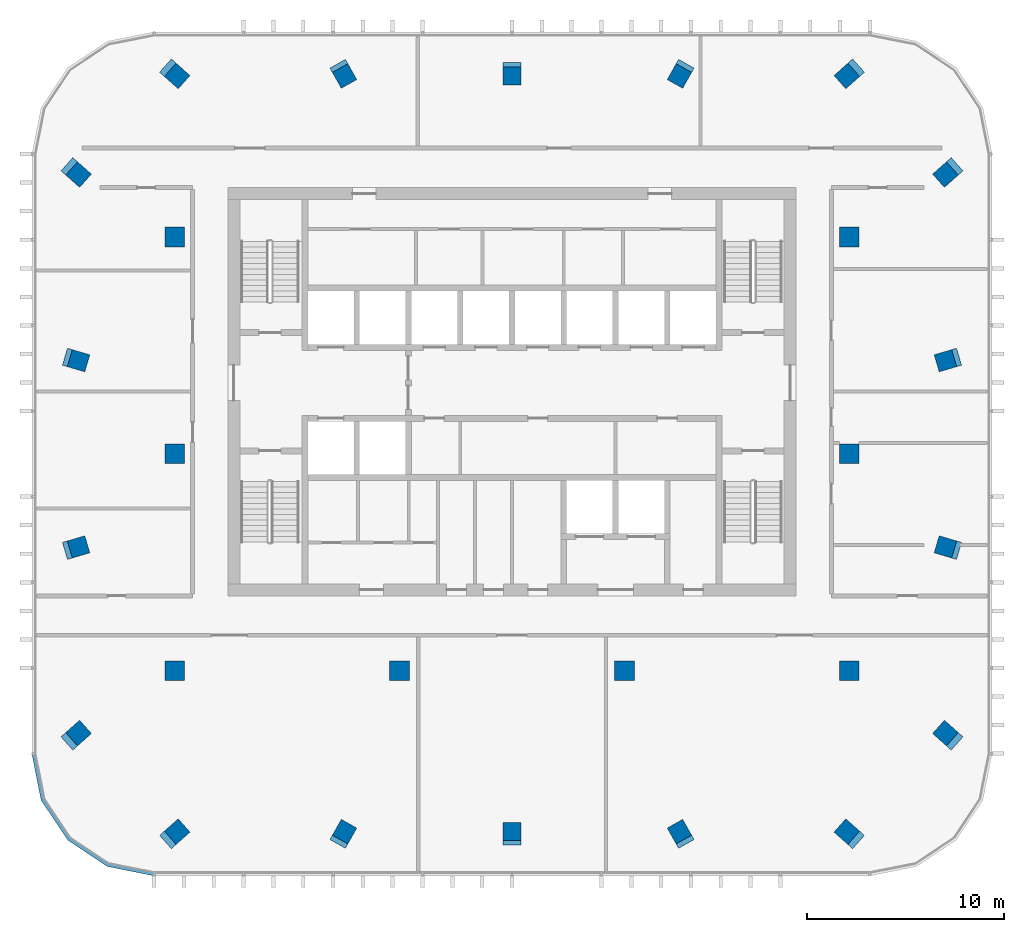
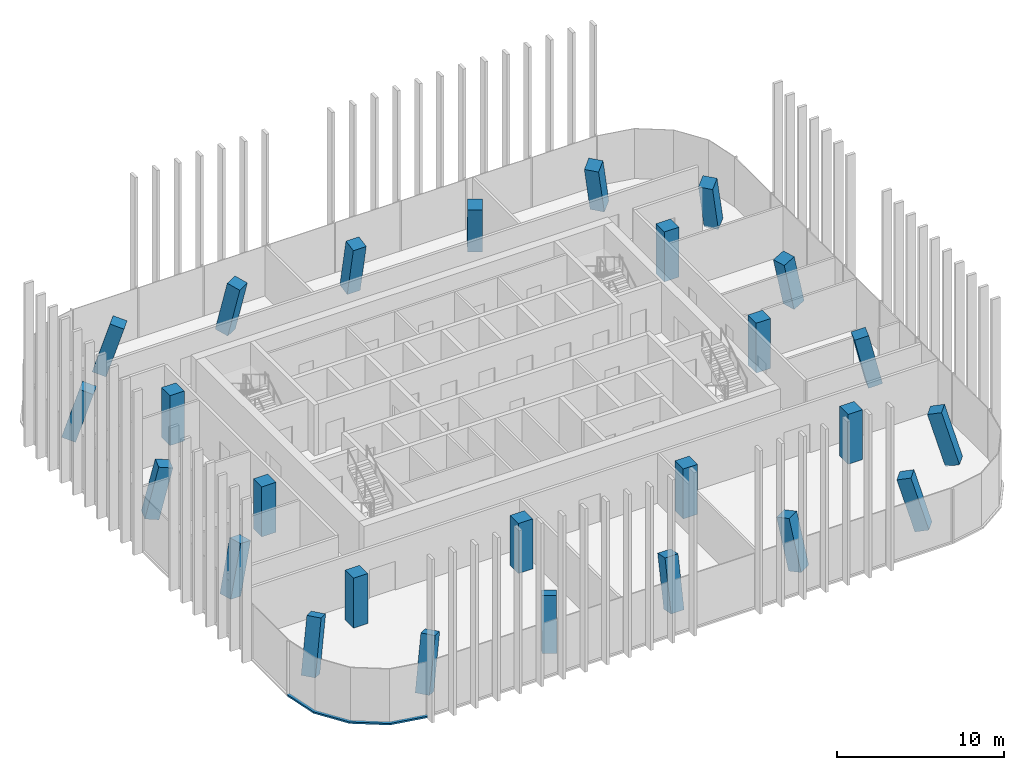
# One storey, part 1 of 13: 26 columns, 1 member, 1 element without a shape of its own.
"""IFC4 building model written with IfcOpenShell, lengths in metres."""

from ifc_helpers import new_model, si_unit, direction, frame, origin, origin_2d, place, context, subcontext, project, spatial, polyline, rectangle, outline, extrude, material, material_profile, profile_set, type_object, element, aggregate, save


model = new_model("IFC4")

# Units and contexts
model_context = context("Model", 3, precision=1e-05, world=origin(), true_north=direction((0.0, 1.0)))
body_context = subcontext(model_context, "Body", "Model", "MODEL_VIEW")
ifc_project = project(units=[si_unit("LENGTHUNIT", "METRE"), si_unit("AREAUNIT", "SQUARE_METRE"), si_unit("VOLUMEUNIT", "CUBIC_METRE"), si_unit("PLANEANGLEUNIT", "RADIAN"), si_unit("MASSUNIT", "GRAM", prefix="KILO")], contexts=[model_context])

# Site, building, storey
site_placement = place(None, origin())
site = spatial("IfcSite", under=ifc_project, at=site_placement, CompositionType="ELEMENT")
building_placement = place(site_placement, origin())
building = spatial("IfcBuilding", under=site, at=building_placement, Name="Mopane Tessera Tower", CompositionType="ELEMENT")
storey_placement = place(building_placement, frame((0.0, 0.0, 345.39990234375)))
storey = spatial("IfcBuildingStorey", under=building, at=storey_placement, Name="L75", CompositionType="ELEMENT", Elevation=345.39990234375)

# Columns
ifc_material_1 = material(Name="Concrete C40/50", Category="concrete")
ifc_material_profile_1 = material_profile(ifc_material_1, rectangle(XDim=1.0, YDim=1.0, at=origin_2d()))
ifc_profile_set_1 = profile_set([ifc_material_profile_1], Name="Concrete C40/50")
column_type_1 = type_object("IfcColumnType", Name="Interior column 1000 x 1000 C40/50", PredefinedType="COLUMN", material=ifc_profile_set_1)
for number, where, z_axis, x_axis, name in (
    (1, (-17.10009765625, -11.0, 0.0), (0.0, 0.0, 1.0), (1.0, 0.0, 0.0), "Interior column I1A L75"),
    (2, (-17.10009765625, 0.0, 0.0), (0.0, 0.0, 1.0), (1.0, 0.0, 0.0), "Interior column I1B L75"),
    (3, (-17.10009765625, 11.0, 0.0), (0.0, 0.0, 1.0), (1.0, 0.0, 0.0), "Interior column I1C L75"),
    (4, (-5.699951171875, -11.0, 0.0), (0.0, 0.0, 1.0), (1.0, 0.0, 0.0), "Interior column I2A L75"),
    (5, (5.699951171875, -11.0, 0.0), (0.0, 0.0, 1.0), (1.0, 0.0, 0.0), "Interior column I3A L75"),
    (6, (17.10009765625, -11.0, 0.0), (0.0, 0.0, 1.0), (1.0, 0.0, 0.0), "Interior column I4A L75"),
    (7, (17.10009765625, 0.0, 0.0), (0.0, 0.0, 1.0), (1.0, 0.0, 0.0), "Interior column I4B L75"),
    (8, (17.10009765625, 11.0, 0.0), (0.0, 0.0, 1.0), (1.0, 0.0, 0.0), "Interior column I4C L75"),
):
    element("IfcColumn", number, at=place(storey_placement, frame(where, z_axis=z_axis, x_axis=x_axis)), inside=storey, type_object=column_type_1, Name=name, PredefinedType="COLUMN", context=body_context, shape_type="SweptSolid", body=[
        extrude(rectangle(XDim=1.0, YDim=1.0, at=origin_2d()), origin(), (0.0, 0.0, 1.0), 3.650146484375),
    ])
ifc_material_2 = material(Name="Concrete C40/50", Category="concrete")
ifc_material_profile_2 = material_profile(ifc_material_2, rectangle(XDim=0.89990234375, YDim=0.89990234375, at=origin_2d()))
ifc_profile_set_2 = profile_set([ifc_material_profile_2], Name="Concrete C40/50")
column_type_2 = type_object("IfcColumnType", Name="Ring column 900 x 900 C40/50", PredefinedType="COLUMN", material=ifc_profile_set_2)
column_1_placement = place(storey_placement, frame((-17.25, -19.39990234375, 0.0), z_axis=(0.215392776624, 0.191438896619, 0.95757876994), x_axis=(-0.664322452257, 0.747446104697, 0.0)))
element("IfcColumn", 9, at=column_1_placement, inside=storey, type_object=column_type_2, Name="Ring column S0 L75", PredefinedType="COLUMN", context=body_context, shape_type="SweptSolid", body=[
    extrude(rectangle(XDim=0.89990234375, YDim=0.89990234375, at=origin_2d()), origin(), (0.0, 0.0, 1.0), 3.811767578125),
])
column_2_placement = place(storey_placement, frame((-8.625, -19.39990234375, 0.0), z_axis=(0.109652628332, 0.194858327041, 0.974682786081), x_axis=(-0.871489870992, 0.49041350385, 0.0)))
element("IfcColumn", 10, at=column_2_placement, inside=storey, type_object=column_type_2, Name="Ring column S1 L75", PredefinedType="COLUMN", context=body_context, shape_type="SweptSolid", body=[
    extrude(rectangle(XDim=0.89990234375, YDim=0.89990234375, at=origin_2d()), origin(), (0.0, 0.0, 1.0), 3.744873046875),
])
column_3_placement = place(storey_placement, frame((0.0, -19.39990234375, 0.0), z_axis=(0.0, 0.196040456894, 0.980595808303), x_axis=(-1.0, 0.0, 0.0)))
element("IfcColumn", 11, at=column_3_placement, inside=storey, type_object=column_type_2, Name="Ring column S2 L75", PredefinedType="COLUMN", context=body_context, shape_type="SweptSolid", body=[
    extrude(rectangle(XDim=0.89990234375, YDim=0.89990234375, at=origin_2d()), origin(), (0.0, 0.0, 1.0), 3.722412109375),
])
column_4_placement = place(storey_placement, frame((8.625, -19.39990234375, 0.0), z_axis=(-0.109652628332, 0.194858327041, 0.974682786081), x_axis=(-0.871489870992, -0.49041350385, 0.0)))
element("IfcColumn", 12, at=column_4_placement, inside=storey, type_object=column_type_2, Name="Ring column S3 L75", PredefinedType="COLUMN", context=body_context, shape_type="SweptSolid", body=[
    extrude(rectangle(XDim=0.89990234375, YDim=0.89990234375, at=origin_2d()), origin(), (0.0, 0.0, 1.0), 3.744873046875),
])
for number, where, z_axis, x_axis, name in (
    (13, (17.25, -19.39990234375, 0.0), (-0.215392776624, 0.191438896619, 0.95757876994), (-0.664322452257, -0.747446104697, 0.0), "Ring column S4 L75"),
    (14, (22.25, -14.39990234375, 0.0), (-0.215392776624, 0.191438896619, 0.95757876994), (-0.664322452257, -0.747446104697, 0.0), "Ring column E0 L75"),
):
    element("IfcColumn", number, at=place(storey_placement, frame(where, z_axis=z_axis, x_axis=x_axis)), inside=storey, type_object=column_type_2, Name=name, PredefinedType="COLUMN", context=body_context, shape_type="SweptSolid", body=[
        extrude(rectangle(XDim=0.89990234375, YDim=0.89990234375, at=origin_2d()), origin(), (0.0, 0.0, 1.0), 3.811767578125),
    ])
for number, where, z_axis, x_axis, name in (
    (15, (22.25, -4.800048828125, 0.0), (-0.218989598564, 0.064856865944, 0.973569279847), (-0.283971837833, -0.958832621117, 0.0), "Ring column E1 L75"),
    (16, (22.25, 4.800048828125, 0.0), (-0.218989598564, -0.064856865944, 0.973569279847), (0.283971837833, -0.958832621117, 0.0), "Ring column E2 L75"),
):
    element("IfcColumn", number, at=place(storey_placement, frame(where, z_axis=z_axis, x_axis=x_axis)), inside=storey, type_object=column_type_2, Name=name, PredefinedType="COLUMN", context=body_context, shape_type="SweptSolid", body=[
        extrude(rectangle(XDim=0.89990234375, YDim=0.89990234375, at=origin_2d()), origin(), (0.0, 0.0, 1.0), 3.749267578125),
    ])
for number, where, z_axis, x_axis, name in (
    (17, (22.25, 14.39990234375, 0.0), (-0.215392776624, -0.191438896619, 0.95757876994), (0.664322452257, -0.747446104697, 0.0), "Ring column E3 L75"),
    (18, (17.25, 19.39990234375, 0.0), (-0.215392776624, -0.191438896619, 0.95757876994), (0.664322452257, -0.747446104697, 0.0), "Ring column N0 L75"),
):
    element("IfcColumn", number, at=place(storey_placement, frame(where, z_axis=z_axis, x_axis=x_axis)), inside=storey, type_object=column_type_2, Name=name, PredefinedType="COLUMN", context=body_context, shape_type="SweptSolid", body=[
        extrude(rectangle(XDim=0.89990234375, YDim=0.89990234375, at=origin_2d()), origin(), (0.0, 0.0, 1.0), 3.811767578125),
    ])
column_5_placement = place(storey_placement, frame((8.625, 19.39990234375, 0.0), z_axis=(-0.109652628332, -0.194858327041, 0.974682786081), x_axis=(0.871489870992, -0.49041350385, 0.0)))
element("IfcColumn", 19, at=column_5_placement, inside=storey, type_object=column_type_2, Name="Ring column N1 L75", PredefinedType="COLUMN", context=body_context, shape_type="SweptSolid", body=[
    extrude(rectangle(XDim=0.89990234375, YDim=0.89990234375, at=origin_2d()), origin(), (0.0, 0.0, 1.0), 3.744873046875),
])
column_6_placement = place(storey_placement, frame((0.0, 19.39990234375, 0.0), z_axis=(0.0, -0.196040456894, 0.980595808303), x_axis=(1.0, 0.0, 0.0)))
element("IfcColumn", 20, at=column_6_placement, inside=storey, type_object=column_type_2, Name="Ring column N2 L75", PredefinedType="COLUMN", context=body_context, shape_type="SweptSolid", body=[
    extrude(rectangle(XDim=0.89990234375, YDim=0.89990234375, at=origin_2d()), origin(), (0.0, 0.0, 1.0), 3.722412109375),
])
column_7_placement = place(storey_placement, frame((-8.625, 19.39990234375, 0.0), z_axis=(0.109652628332, -0.194858327041, 0.974682786081), x_axis=(0.871489870992, 0.49041350385, 0.0)))
element("IfcColumn", 21, at=column_7_placement, inside=storey, type_object=column_type_2, Name="Ring column N3 L75", PredefinedType="COLUMN", context=body_context, shape_type="SweptSolid", body=[
    extrude(rectangle(XDim=0.89990234375, YDim=0.89990234375, at=origin_2d()), origin(), (0.0, 0.0, 1.0), 3.744873046875),
])
for number, where, z_axis, x_axis, name in (
    (22, (-17.25, 19.39990234375, 0.0), (0.215392776624, -0.191438896619, 0.95757876994), (0.664322452257, 0.747446104697, 0.0), "Ring column N4 L75"),
    (23, (-22.25, 14.39990234375, 0.0), (0.215392776624, -0.191438896619, 0.95757876994), (0.664322452257, 0.747446104697, 0.0), "Ring column W0 L75"),
):
    element("IfcColumn", number, at=place(storey_placement, frame(where, z_axis=z_axis, x_axis=x_axis)), inside=storey, type_object=column_type_2, Name=name, PredefinedType="COLUMN", context=body_context, shape_type="SweptSolid", body=[
        extrude(rectangle(XDim=0.89990234375, YDim=0.89990234375, at=origin_2d()), origin(), (0.0, 0.0, 1.0), 3.811767578125),
    ])
for number, where, z_axis, x_axis, name in (
    (24, (-22.25, 4.800048828125, 0.0), (0.218989598564, -0.064856865944, 0.973569279847), (0.283971837833, 0.958832621117, 0.0), "Ring column W1 L75"),
    (25, (-22.25, -4.800048828125, 0.0), (0.218989598564, 0.064856865944, 0.973569279847), (-0.283971837833, 0.958832621117, 0.0), "Ring column W2 L75"),
):
    element("IfcColumn", number, at=place(storey_placement, frame(where, z_axis=z_axis, x_axis=x_axis)), inside=storey, type_object=column_type_2, Name=name, PredefinedType="COLUMN", context=body_context, shape_type="SweptSolid", body=[
        extrude(rectangle(XDim=0.89990234375, YDim=0.89990234375, at=origin_2d()), origin(), (0.0, 0.0, 1.0), 3.749267578125),
    ])
column_8_placement = place(storey_placement, frame((-22.25, -14.39990234375, 0.0), z_axis=(0.215392776624, 0.191438896619, 0.95757876994), x_axis=(-0.664322452257, 0.747446104697, 0.0)))
element("IfcColumn", 26, at=column_8_placement, inside=storey, type_object=column_type_2, Name="Ring column W3 L75", PredefinedType="COLUMN", context=body_context, shape_type="SweptSolid", body=[
    extrude(rectangle(XDim=0.89990234375, YDim=0.89990234375, at=origin_2d()), origin(), (0.0, 0.0, 1.0), 3.811767578125),
])

# Curtain wall, member
ifc_material_3 = material(Name="Aluminium frame", Category="aluminium")
curtain_wall_type = type_object("IfcCurtainWallType", Name="Unitised curtain wall", PredefinedType="NOTDEFINED", material=ifc_material_3)
curtain_wall_placement = place(storey_placement, origin())
curtain_wall = element("IfcCurtainWall", 27, at=curtain_wall_placement, inside=storey, type_object=curtain_wall_type, Name="e:cw:L75:CW", PredefinedType="NOTDEFINED")
ifc_material_4 = material(Name="Aluminium frame", Category="aluminium")
ifc_material_profile_3 = material_profile(ifc_material_4, rectangle(XDim=0.199951171875, YDim=0.1201171875, at=origin_2d()))
ifc_profile_set_3 = profile_set([ifc_material_profile_3], Name="Aluminium frame")
member_type = type_object("IfcMemberType", Name="Aluminium transom 200 x 120", PredefinedType="USERDEFINED", material=ifc_profile_set_3)
member_placement = place(storey_placement, frame((0.0, 0.0, -0.349853515625)))
member = element("IfcMember", 28, at=member_placement, type_object=member_type, Name="e:cw:L75:CW:tr", ObjectType="TRANSOM", PredefinedType="USERDEFINED", context=body_context, shape_type="SweptSolid", body=[
    extrude(outline(polyline([(-24.14990234375, -15.199951171875), (-23.693359375, -17.49609375), (-22.392578125, -19.442626953125), (-20.446044921875, -20.7431640625), (-18.14990234375, -21.199951171875), (-18.14990234375, -21.39990234375), (-20.522705078125, -20.927978515625), (-22.5341796875, -19.583984375), (-23.878173828125, -17.57275390625), (-24.35009765625, -15.199951171875), (-24.14990234375, -15.199951171875)])), origin(), (0.0, 0.0, 1.0), 0.119873046875),
])
aggregate(curtain_wall, [member])

save(model, "model.ifc")
